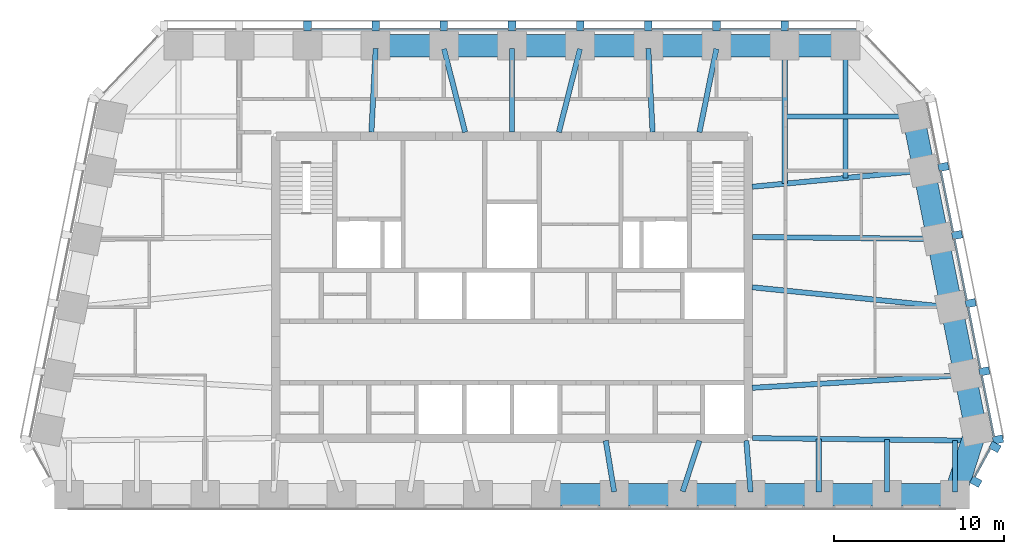
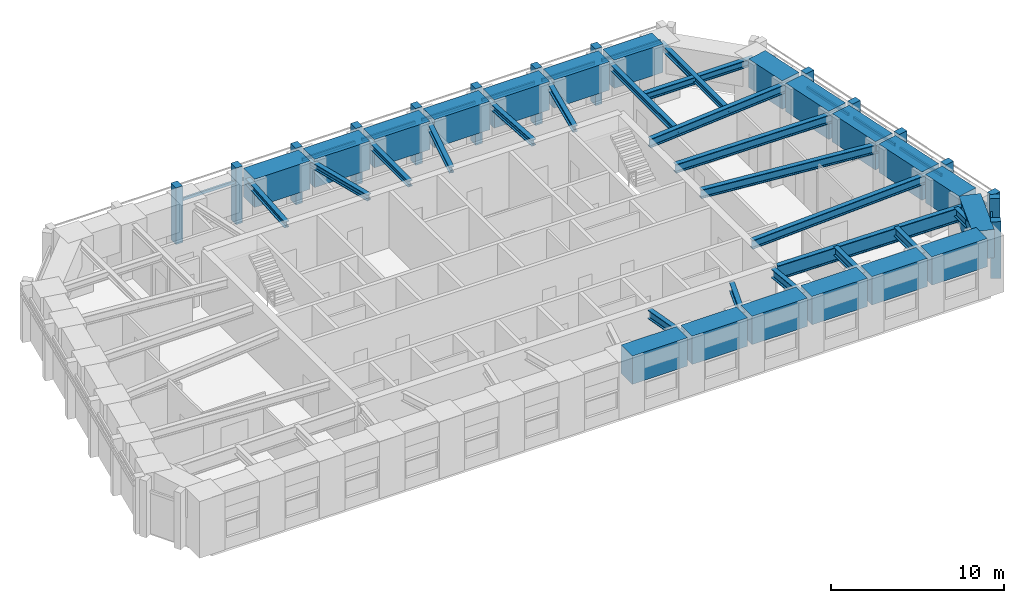
# One storey, part 2 of 9: 39 beams, 28 members, 3 elements without a shape of their own.
"""IFC4 building model written with IfcOpenShell, lengths in metres."""

from ifc_helpers import new_model, si_unit, direction, frame, origin, origin_2d, place, context, subcontext, project, spatial, rectangle, i_section, extrude, material, material_profile, profile_set, type_object, element, aggregate, save


model = new_model("IFC4")

# Units and contexts
model_context = context("Model", 3, precision=1e-05, world=origin(), true_north=direction((0.0, 1.0)))
body_context = subcontext(model_context, "Body", "Model", "MODEL_VIEW")
ifc_project = project(units=[si_unit("LENGTHUNIT", "METRE"), si_unit("AREAUNIT", "SQUARE_METRE"), si_unit("VOLUMEUNIT", "CUBIC_METRE"), si_unit("PLANEANGLEUNIT", "RADIAN"), si_unit("MASSUNIT", "GRAM", prefix="KILO")], contexts=[model_context])

# Site, building, storey
site_placement = place(None, origin())
site = spatial("IfcSite", under=ifc_project, at=site_placement, CompositionType="ELEMENT")
building_placement = place(site_placement, origin())
building = spatial("IfcBuilding", under=site, at=building_placement, Name="Isbrekke Arena Tower", CompositionType="ELEMENT")
storey_placement = place(building_placement, frame((0.0, 0.0, 312.0)))
storey = spatial("IfcBuildingStorey", under=building, at=storey_placement, Name="L73", CompositionType="ELEMENT", Elevation=312.0)

# Beams
ifc_material_1 = material(Name="Steel S355", Category="steel")
ifc_material_profile_1 = material_profile(ifc_material_1, i_section(OverallWidth=0.304931640625, OverallDepth=0.6201171875, WebThickness=0.02099609375, FlangeThickness=0.0400390625, FilletRadius=0.027099609375, at=origin_2d()), Name="HEM 600")
ifc_profile_set_1 = profile_set([ifc_material_profile_1], Name="Steel S355")
beam_type_1 = type_object("IfcBeamType", Name="B4 HEM 600", PredefinedType="BEAM", material=ifc_profile_set_1)
beam_1_placement = place(storey_placement, frame((5.995849609375, 2.99951171875, 3.5400390625), z_axis=(-0.163044952053, 0.986618641426, 0.0), x_axis=(-0.986618641426, -0.163044952053, 0.0)))
element("IfcBeam", 1, at=beam_1_placement, inside=storey, type_object=beam_type_1, Name="B4 beam C-S09 L73", PredefinedType="BEAM", context=body_context, shape_type="SweptSolid", body=[
    extrude(i_section(OverallWidth=0.304931640625, OverallDepth=0.6201171875, WebThickness=0.02099609375, FlangeThickness=0.0400390625, FilletRadius=0.027099609375, at=origin_2d()), origin(), (0.0, 0.0, 1.0), 3.041259765625),
])
beam_2_placement = place(storey_placement, frame((10.01513671875, 3.0205078125, 3.5400390625), z_axis=(0.313846083605, 0.949473873156, 0.0), x_axis=(-0.949473873156, 0.313846083605, 0.0)))
element("IfcBeam", 2, at=beam_2_placement, inside=storey, type_object=beam_type_1, Name="B4 beam C-S10 L73", PredefinedType="BEAM", context=body_context, shape_type="SweptSolid", body=[
    extrude(i_section(OverallWidth=0.304931640625, OverallDepth=0.6201171875, WebThickness=0.02099609375, FlangeThickness=0.0400390625, FilletRadius=0.027099609375, at=origin_2d()), origin(), (0.0, 0.0, 1.0), 3.137939453125),
])
beam_3_placement = place(storey_placement, frame((13.9990234375, 2.987548828125, 3.5400390625), z_axis=(-0.082383718089, 0.996600683822, 0.0), x_axis=(-0.996600683822, -0.082383718089, 0.0)))
element("IfcBeam", 3, at=beam_3_placement, inside=storey, type_object=beam_type_1, Name="B4 beam C-S11 L73", PredefinedType="BEAM", context=body_context, shape_type="SweptSolid", body=[
    extrude(i_section(OverallWidth=0.304931640625, OverallDepth=0.6201171875, WebThickness=0.02099609375, FlangeThickness=0.0400390625, FilletRadius=0.027099609375, at=origin_2d()), origin(), (0.0, 0.0, 1.0), 3.022705078125),
])
beam_4_placement = place(storey_placement, frame((18.0, 2.97509765625, 3.5400390625), z_axis=(0.0, 1.0, 0.0), x_axis=(-1.0, 0.0, 0.0)))
element("IfcBeam", 4, at=beam_4_placement, inside=storey, type_object=beam_type_1, Name="B4 beam C-S12 L73", PredefinedType="BEAM", context=body_context, shape_type="SweptSolid", body=[
    extrude(i_section(OverallWidth=0.304931640625, OverallDepth=0.6201171875, WebThickness=0.02099609375, FlangeThickness=0.0400390625, FilletRadius=0.027099609375, at=origin_2d()), origin(), (0.0, 0.0, 1.0), 3.13037109375),
])
beam_5_placement = place(storey_placement, frame((22.0, 2.97509765625, 3.5400390625), z_axis=(0.0, 1.0, 0.0), x_axis=(-1.0, 0.0, 0.0)))
element("IfcBeam", 5, at=beam_5_placement, inside=storey, type_object=beam_type_1, Name="B4 beam C-S13 L73", PredefinedType="BEAM", context=body_context, shape_type="SweptSolid", body=[
    extrude(i_section(OverallWidth=0.304931640625, OverallDepth=0.6201171875, WebThickness=0.02099609375, FlangeThickness=0.0400390625, FilletRadius=0.027099609375, at=origin_2d()), origin(), (0.0, 0.0, 1.0), 3.084716796875),
])
beam_6_placement = place(storey_placement, frame((26.0, 2.97509765625, 3.5400390625), z_axis=(0.0, 1.0, 0.0), x_axis=(-1.0, 0.0, 0.0)))
element("IfcBeam", 6, at=beam_6_placement, inside=storey, type_object=beam_type_1, Name="B4 beam C-S14 L73", PredefinedType="BEAM", context=body_context, shape_type="SweptSolid", body=[
    extrude(i_section(OverallWidth=0.304931640625, OverallDepth=0.6201171875, WebThickness=0.02099609375, FlangeThickness=0.0400390625, FilletRadius=0.027099609375, at=origin_2d()), origin(), (0.0, 0.0, 1.0), 3.0390625),
])
beam_7_placement = place(storey_placement, frame((26.431884765625, 9.837646484375, 3.5400390625), z_axis=(-0.998216240514, -0.059702070095, 0.0), x_axis=(0.059702070095, -0.998216240514, 0.0)))
element("IfcBeam", 7, at=beam_7_placement, inside=storey, type_object=beam_type_1, Name="B4 beam E-E02 L73", PredefinedType="BEAM", context=body_context, shape_type="SweptSolid", body=[
    extrude(i_section(OverallWidth=0.304931640625, OverallDepth=0.6201171875, WebThickness=0.02099609375, FlangeThickness=0.0400390625, FilletRadius=0.027099609375, at=origin_2d()), origin(), (0.0, 0.0, 1.0), 12.353759765625),
])
beam_8_placement = place(storey_placement, frame((25.625732421875, 13.83984375, 3.5400390625), z_axis=(-0.994972081505, 0.100152668587, 0.0), x_axis=(-0.100152668587, -0.994972081505, 0.0)))
element("IfcBeam", 8, at=beam_8_placement, inside=storey, type_object=beam_type_1, Name="B4 beam E-E03 L73", PredefinedType="BEAM", context=body_context, shape_type="SweptSolid", body=[
    extrude(i_section(OverallWidth=0.304931640625, OverallDepth=0.6201171875, WebThickness=0.02099609375, FlangeThickness=0.0400390625, FilletRadius=0.027099609375, at=origin_2d()), origin(), (0.0, 0.0, 1.0), 11.583984375),
])
beam_9_placement = place(storey_placement, frame((24.83935546875, 17.838134765625, 3.5400390625), z_axis=(-0.999945800258, 0.010411366203, 0.0), x_axis=(-0.010411366203, -0.999945800258, 0.0)))
element("IfcBeam", 9, at=beam_9_placement, inside=storey, type_object=beam_type_1, Name="B4 beam E-E04 L73", PredefinedType="BEAM", context=body_context, shape_type="SweptSolid", body=[
    extrude(i_section(OverallWidth=0.304931640625, OverallDepth=0.6201171875, WebThickness=0.02099609375, FlangeThickness=0.0400390625, FilletRadius=0.027099609375, at=origin_2d()), origin(), (0.0, 0.0, 1.0), 10.73974609375),
])
beam_10_placement = place(storey_placement, frame((24.02685546875, 21.8369140625, 3.5400390625), z_axis=(-0.995574576627, -0.093974796485, 0.0), x_axis=(0.093974796485, -0.995574576627, 0.0)))
element("IfcBeam", 10, at=beam_10_placement, inside=storey, type_object=beam_type_1, Name="B4 beam E-E05 L73", PredefinedType="BEAM", context=body_context, shape_type="SweptSolid", body=[
    extrude(i_section(OverallWidth=0.304931640625, OverallDepth=0.6201171875, WebThickness=0.02099609375, FlangeThickness=0.0400390625, FilletRadius=0.027099609375, at=origin_2d()), origin(), (0.0, 0.0, 1.0), 9.970947265625),
])
ifc_material_2 = material(Name="Steel S355", Category="steel")
ifc_material_profile_2 = material_profile(ifc_material_2, i_section(OverallWidth=0.305908203125, OverallDepth=0.52392578125, WebThickness=0.02099609375, FlangeThickness=0.0400390625, FilletRadius=0.027099609375, at=origin_2d()), Name="HEM 500")
ifc_profile_set_2 = profile_set([ifc_material_profile_2], Name="Steel S355")
beam_type_2 = type_object("IfcBeamType", Name="B5 HEM 500", PredefinedType="BEAM", material=ifc_profile_set_2)
beam_11_placement = place(storey_placement, frame((23.40283203125, 25.029296875, 3.587890625), z_axis=(-1.0, 0.0, 0.0), x_axis=(0.0, -1.0, 0.0)))
element("IfcBeam", 11, at=beam_11_placement, inside=storey, type_object=beam_type_2, Name="B5 beam E-E06 L73", PredefinedType="BEAM", context=body_context, shape_type="SweptSolid", body=[
    extrude(i_section(OverallWidth=0.305908203125, OverallDepth=0.52392578125, WebThickness=0.02099609375, FlangeThickness=0.0400390625, FilletRadius=0.027099609375, at=origin_2d()), origin(), (0.0, 0.0, 1.0), 7.40283203125),
])
ifc_material_3 = material(Name="Steel S355", Category="steel")
ifc_material_profile_3 = material_profile(ifc_material_3, i_section(OverallWidth=0.306884765625, OverallDepth=0.431884765625, WebThickness=0.02099609375, FlangeThickness=0.0400390625, FilletRadius=0.027099609375, at=origin_2d()), Name="HEM 400")
ifc_profile_set_3 = profile_set([ifc_material_profile_3], Name="Steel S355")
beam_type_3 = type_object("IfcBeamType", Name="B6 HEM 400", PredefinedType="BEAM", material=ifc_profile_set_3)
beam_12_placement = place(storey_placement, frame((19.574951171875, 29.02490234375, 3.634033203125), z_axis=(0.0, -1.0, 0.0), x_axis=(1.0, 0.0, 0.0)))
element("IfcBeam", 12, at=beam_12_placement, inside=storey, type_object=beam_type_3, Name="B6 beam N-N01 L73", PredefinedType="BEAM", context=body_context, shape_type="SweptSolid", body=[
    extrude(i_section(OverallWidth=0.306884765625, OverallDepth=0.431884765625, WebThickness=0.02099609375, FlangeThickness=0.0400390625, FilletRadius=0.027099609375, at=origin_2d()), origin(), (0.0, 0.0, 1.0), 7.608154296875),
])
beam_13_placement = place(storey_placement, frame((16.0, 29.02490234375, 3.634033203125), z_axis=(0.0, -1.0, 0.0), x_axis=(1.0, 0.0, 0.0)))
element("IfcBeam", 13, at=beam_13_placement, inside=storey, type_object=beam_type_3, Name="B6 beam N-N02 L73", PredefinedType="BEAM", context=body_context, shape_type="SweptSolid", body=[
    extrude(i_section(OverallWidth=0.306884765625, OverallDepth=0.431884765625, WebThickness=0.02099609375, FlangeThickness=0.0400390625, FilletRadius=0.027099609375, at=origin_2d()), origin(), (0.0, 0.0, 1.0), 7.945556640625),
])
beam_14_placement = place(storey_placement, frame((11.993896484375, 28.9951171875, 3.634033203125), z_axis=(-0.198982177337, -0.980003108721, 0.0), x_axis=(0.980003108721, -0.198982177337, 0.0)))
element("IfcBeam", 14, at=beam_14_placement, inside=storey, type_object=beam_type_3, Name="B6 beam N-N03 L73", PredefinedType="BEAM", context=body_context, shape_type="SweptSolid", body=[
    extrude(i_section(OverallWidth=0.306884765625, OverallDepth=0.431884765625, WebThickness=0.02099609375, FlangeThickness=0.0400390625, FilletRadius=0.027099609375, at=origin_2d()), origin(), (0.0, 0.0, 1.0), 4.994873046875),
])
beam_15_placement = place(storey_placement, frame((8.00048828125, 29.017333984375, 3.634033203125), z_axis=(0.050677067868, -0.998715091902, 0.0), x_axis=(0.998715091902, 0.050677067868, 0.0)))
element("IfcBeam", 15, at=beam_15_placement, inside=storey, type_object=beam_type_3, Name="B6 beam N-N04 L73", PredefinedType="BEAM", context=body_context, shape_type="SweptSolid", body=[
    extrude(i_section(OverallWidth=0.306884765625, OverallDepth=0.431884765625, WebThickness=0.02099609375, FlangeThickness=0.0400390625, FilletRadius=0.027099609375, at=origin_2d()), origin(), (0.0, 0.0, 1.0), 4.923583984375),
])
beam_16_placement = place(storey_placement, frame((3.99072265625, 28.98828125, 3.634033203125), z_axis=(-0.246019579109, -0.969264858898, 0.0), x_axis=(0.969264858898, -0.246019579109, 0.0)))
element("IfcBeam", 16, at=beam_16_placement, inside=storey, type_object=beam_type_3, Name="B6 beam N-N05 L73", PredefinedType="BEAM", context=body_context, shape_type="SweptSolid", body=[
    extrude(i_section(OverallWidth=0.306884765625, OverallDepth=0.431884765625, WebThickness=0.02099609375, FlangeThickness=0.0400390625, FilletRadius=0.027099609375, at=origin_2d()), origin(), (0.0, 0.0, 1.0), 5.043212890625),
])
beam_17_placement = place(storey_placement, frame((0.0, 29.02490234375, 3.634033203125), z_axis=(0.0, -1.0, 0.0), x_axis=(1.0, 0.0, 0.0)))
element("IfcBeam", 17, at=beam_17_placement, inside=storey, type_object=beam_type_3, Name="B6 beam N-N06 L73", PredefinedType="BEAM", context=body_context, shape_type="SweptSolid", body=[
    extrude(i_section(OverallWidth=0.306884765625, OverallDepth=0.431884765625, WebThickness=0.02099609375, FlangeThickness=0.0400390625, FilletRadius=0.027099609375, at=origin_2d()), origin(), (0.0, 0.0, 1.0), 4.9248046875),
])
beam_18_placement = place(storey_placement, frame((-3.99072265625, 28.98828125, 3.634033203125), z_axis=(0.246019579109, -0.969264858898, 0.0), x_axis=(0.969264858898, 0.246019579109, 0.0)))
element("IfcBeam", 18, at=beam_18_placement, inside=storey, type_object=beam_type_3, Name="B6 beam N-N07 L73", PredefinedType="BEAM", context=body_context, shape_type="SweptSolid", body=[
    extrude(i_section(OverallWidth=0.306884765625, OverallDepth=0.431884765625, WebThickness=0.02099609375, FlangeThickness=0.0400390625, FilletRadius=0.027099609375, at=origin_2d()), origin(), (0.0, 0.0, 1.0), 5.043212890625),
])
beam_19_placement = place(storey_placement, frame((-8.00048828125, 29.017333984375, 3.634033203125), z_axis=(-0.050677067868, -0.998715091902, 0.0), x_axis=(0.998715091902, -0.050677067868, 0.0)))
element("IfcBeam", 19, at=beam_19_placement, inside=storey, type_object=beam_type_3, Name="B6 beam N-N08 L73", PredefinedType="BEAM", context=body_context, shape_type="SweptSolid", body=[
    extrude(i_section(OverallWidth=0.306884765625, OverallDepth=0.431884765625, WebThickness=0.02099609375, FlangeThickness=0.0400390625, FilletRadius=0.027099609375, at=origin_2d()), origin(), (0.0, 0.0, 1.0), 4.923583984375),
])

# Curtain wall, members
ifc_material_4 = material(Name="Glazed aluminium curtain wall", Category="aluminium")
curtain_wall_type = type_object("IfcCurtainWallType", Name="CWT TOWER CURTAIN WALL TOP ZONE", PredefinedType="USERDEFINED", material=ifc_material_4)
curtain_wall_1_placement = place(storey_placement, origin())
curtain_wall_1 = element("IfcCurtainWall", 20, at=curtain_wall_1_placement, inside=storey, type_object=curtain_wall_type, Name="CWT curtain wall L73-SE", ObjectType="TOWER CURTAIN WALL TOP ZONE", PredefinedType="USERDEFINED")
ifc_material_5 = material(Name="Copper-clad aluminium mullion", Category="aluminium")
ifc_material_profile_4 = material_profile(ifc_material_5, rectangle(XDim=0.449951171875, YDim=0.60009765625, at=origin_2d()), Name="PIER 450X600")
ifc_profile_set_4 = profile_set([ifc_material_profile_4], Name="Copper-clad aluminium mullion")
member_type_1 = type_object("IfcMemberType", Name="CWT-M PIER MULLION 450 x 600", PredefinedType="MULLION", material=ifc_profile_set_4)
member_1_placement = place(storey_placement, frame((27.218994140625, 3.593994140625, 0.0), z_axis=(0.0, 0.0, 1.0), x_axis=(0.481918749773, 0.876215908676, 0.0)))
member_1 = element("IfcMember", 21, at=member_1_placement, type_object=member_type_1, Name="CWT-M mullion 1", PredefinedType="MULLION", context=body_context, shape_type="SweptSolid", body=[
    extrude(rectangle(XDim=0.449951171875, YDim=0.60009765625, at=origin_2d()), origin(), (0.0, 0.0, 1.0), 4.0),
])
member_2_placement = place(storey_placement, frame((28.340087890625, 5.632080078125, 0.0), z_axis=(0.0, 0.0, 1.0), x_axis=(0.481918749773, 0.876215908676, 0.0)))
member_2 = element("IfcMember", 22, at=member_2_placement, type_object=member_type_1, Name="CWT-M mullion 2", PredefinedType="MULLION", context=body_context, shape_type="SweptSolid", body=[
    extrude(rectangle(XDim=0.449951171875, YDim=0.60009765625, at=origin_2d()), origin(), (0.0, 0.0, 1.0), 4.0),
])

curtain_wall_2_placement = place(storey_placement, origin())
curtain_wall_2 = element("IfcCurtainWall", 23, at=curtain_wall_2_placement, inside=storey, type_object=curtain_wall_type, Name="CWT curtain wall L73-E", ObjectType="TOWER CURTAIN WALL TOP ZONE", PredefinedType="USERDEFINED")
member_3_placement = place(storey_placement, frame((28.518798828125, 6.063720703125, 0.0), z_axis=(0.0, 0.0, 1.0), x_axis=(-0.196116135138, 0.980580675691, 0.0)))
member_3 = element("IfcMember", 24, at=member_3_placement, type_object=member_type_1, Name="CWT-M mullion 1", PredefinedType="MULLION", context=body_context, shape_type="SweptSolid", body=[
    extrude(rectangle(XDim=0.449951171875, YDim=0.60009765625, at=origin_2d()), origin(), (0.0, 0.0, 1.0), 4.0),
])
member_4_placement = place(storey_placement, frame((27.71875, 10.063720703125, 0.0), z_axis=(0.0, 0.0, 1.0), x_axis=(-0.196116135138, 0.980580675691, 0.0)))
member_4 = element("IfcMember", 25, at=member_4_placement, type_object=member_type_1, Name="CWT-M mullion 2", PredefinedType="MULLION", context=body_context, shape_type="SweptSolid", body=[
    extrude(rectangle(XDim=0.449951171875, YDim=0.60009765625, at=origin_2d()), origin(), (0.0, 0.0, 1.0), 4.0),
])
member_5_placement = place(storey_placement, frame((26.918701171875, 14.063720703125, 0.0), z_axis=(0.0, 0.0, 1.0), x_axis=(-0.196116135138, 0.980580675691, 0.0)))
member_5 = element("IfcMember", 26, at=member_5_placement, type_object=member_type_1, Name="CWT-M mullion 3", PredefinedType="MULLION", context=body_context, shape_type="SweptSolid", body=[
    extrude(rectangle(XDim=0.449951171875, YDim=0.60009765625, at=origin_2d()), origin(), (0.0, 0.0, 1.0), 4.0),
])
member_6_placement = place(storey_placement, frame((26.11865234375, 18.063720703125, 0.0), z_axis=(0.0, 0.0, 1.0), x_axis=(-0.196116135138, 0.980580675691, 0.0)))
member_6 = element("IfcMember", 27, at=member_6_placement, type_object=member_type_1, Name="CWT-M mullion 4", PredefinedType="MULLION", context=body_context, shape_type="SweptSolid", body=[
    extrude(rectangle(XDim=0.449951171875, YDim=0.60009765625, at=origin_2d()), origin(), (0.0, 0.0, 1.0), 4.0),
])
member_7_placement = place(storey_placement, frame((25.318603515625, 22.063720703125, 0.0), z_axis=(0.0, 0.0, 1.0), x_axis=(-0.196116135138, 0.980580675691, 0.0)))
member_7 = element("IfcMember", 28, at=member_7_placement, type_object=member_type_1, Name="CWT-M mullion 5", PredefinedType="MULLION", context=body_context, shape_type="SweptSolid", body=[
    extrude(rectangle(XDim=0.449951171875, YDim=0.60009765625, at=origin_2d()), origin(), (0.0, 0.0, 1.0), 4.0),
])

curtain_wall_3_placement = place(storey_placement, origin())
curtain_wall_3 = element("IfcCurtainWall", 29, at=curtain_wall_3_placement, inside=storey, type_object=curtain_wall_type, Name="CWT curtain wall L73-N", ObjectType="TOWER CURTAIN WALL TOP ZONE", PredefinedType="USERDEFINED")
member_8_placement = place(storey_placement, frame((16.0, 30.324951171875, 0.0), z_axis=(0.0, 0.0, 1.0), x_axis=(-1.0, 0.0, 0.0)))
member_8 = element("IfcMember", 30, at=member_8_placement, type_object=member_type_1, Name="CWT-M mullion 2", PredefinedType="MULLION", context=body_context, shape_type="SweptSolid", body=[
    extrude(rectangle(XDim=0.449951171875, YDim=0.60009765625, at=origin_2d()), origin(), (0.0, 0.0, 1.0), 4.0),
])
member_9_placement = place(storey_placement, frame((12.0, 30.324951171875, 0.0), z_axis=(0.0, 0.0, 1.0), x_axis=(-1.0, 0.0, 0.0)))
member_9 = element("IfcMember", 31, at=member_9_placement, type_object=member_type_1, Name="CWT-M mullion 3", PredefinedType="MULLION", context=body_context, shape_type="SweptSolid", body=[
    extrude(rectangle(XDim=0.449951171875, YDim=0.60009765625, at=origin_2d()), origin(), (0.0, 0.0, 1.0), 4.0),
])
member_10_placement = place(storey_placement, frame((8.0, 30.324951171875, 0.0), z_axis=(0.0, 0.0, 1.0), x_axis=(-1.0, 0.0, 0.0)))
member_10 = element("IfcMember", 32, at=member_10_placement, type_object=member_type_1, Name="CWT-M mullion 4", PredefinedType="MULLION", context=body_context, shape_type="SweptSolid", body=[
    extrude(rectangle(XDim=0.449951171875, YDim=0.60009765625, at=origin_2d()), origin(), (0.0, 0.0, 1.0), 4.0),
])
member_11_placement = place(storey_placement, frame((4.0, 30.324951171875, 0.0), z_axis=(0.0, 0.0, 1.0), x_axis=(-1.0, 0.0, 0.0)))
member_11 = element("IfcMember", 33, at=member_11_placement, type_object=member_type_1, Name="CWT-M mullion 5", PredefinedType="MULLION", context=body_context, shape_type="SweptSolid", body=[
    extrude(rectangle(XDim=0.449951171875, YDim=0.60009765625, at=origin_2d()), origin(), (0.0, 0.0, 1.0), 4.0),
])
member_12_placement = place(storey_placement, frame((0.0, 30.324951171875, 0.0), z_axis=(0.0, 0.0, 1.0), x_axis=(-1.0, 0.0, 0.0)))
member_12 = element("IfcMember", 34, at=member_12_placement, type_object=member_type_1, Name="CWT-M mullion 6", PredefinedType="MULLION", context=body_context, shape_type="SweptSolid", body=[
    extrude(rectangle(XDim=0.449951171875, YDim=0.60009765625, at=origin_2d()), origin(), (0.0, 0.0, 1.0), 4.0),
])
member_13_placement = place(storey_placement, frame((-4.0, 30.324951171875, 0.0), z_axis=(0.0, 0.0, 1.0), x_axis=(-1.0, 0.0, 0.0)))
member_13 = element("IfcMember", 35, at=member_13_placement, type_object=member_type_1, Name="CWT-M mullion 7", PredefinedType="MULLION", context=body_context, shape_type="SweptSolid", body=[
    extrude(rectangle(XDim=0.449951171875, YDim=0.60009765625, at=origin_2d()), origin(), (0.0, 0.0, 1.0), 4.0),
])
member_14_placement = place(storey_placement, frame((-8.0, 30.324951171875, 0.0), z_axis=(0.0, 0.0, 1.0), x_axis=(-1.0, 0.0, 0.0)))
member_14 = element("IfcMember", 36, at=member_14_placement, type_object=member_type_1, Name="CWT-M mullion 8", PredefinedType="MULLION", context=body_context, shape_type="SweptSolid", body=[
    extrude(rectangle(XDim=0.449951171875, YDim=0.60009765625, at=origin_2d()), origin(), (0.0, 0.0, 1.0), 4.0),
])
member_15_placement = place(storey_placement, frame((-12.0, 30.324951171875, 0.0), z_axis=(0.0, 0.0, 1.0), x_axis=(-1.0, 0.0, 0.0)))
member_15 = element("IfcMember", 37, at=member_15_placement, type_object=member_type_1, Name="CWT-M mullion 9", PredefinedType="MULLION", context=body_context, shape_type="SweptSolid", body=[
    extrude(rectangle(XDim=0.449951171875, YDim=0.60009765625, at=origin_2d()), origin(), (0.0, 0.0, 1.0), 4.0),
])

# Member
ifc_material_6 = material(Name="Aluminium transom", Category="aluminium")
ifc_material_profile_5 = material_profile(ifc_material_6, rectangle(XDim=0.1201171875, YDim=0.199951171875, at=origin_2d()), Name="TRANSOM 120X200")
ifc_profile_set_5 = profile_set([ifc_material_profile_5], Name="Aluminium transom")
member_type_2 = type_object("IfcMemberType", Name="CWT-T TRANSOM 120 x 200", PredefinedType="USERDEFINED", material=ifc_profile_set_5)
member_16_placement = place(storey_placement, frame((27.152099609375, 3.887451171875, 3.0), z_axis=(0.482003669577, 0.876169197424, 0.0), x_axis=(-0.876169197424, 0.482003669577, 0.0)))
member_16 = element("IfcMember", 38, at=member_16_placement, type_object=member_type_2, Name="CWT-T transom 1", ObjectType="TRANSOM", PredefinedType="USERDEFINED", context=body_context, shape_type="SweptSolid", body=[
    extrude(rectangle(XDim=0.1201171875, YDim=0.199951171875, at=origin_2d()), origin(), (0.0, 0.0, 1.0), 1.876220703125),
])

aggregate(curtain_wall_1, [member_1, member_2, member_16])

member_17_placement = place(storey_placement, frame((28.278564453125, 6.2451171875, 3.0), z_axis=(-0.196154943734, 0.980572913173, 0.0), x_axis=(-0.980572913173, -0.196154943734, 0.0)))
member_17 = element("IfcMember", 39, at=member_17_placement, type_object=member_type_2, Name="CWT-T transom 1", ObjectType="TRANSOM", PredefinedType="USERDEFINED", context=body_context, shape_type="SweptSolid", body=[
    extrude(rectangle(XDim=0.1201171875, YDim=0.199951171875, at=origin_2d()), origin(), (0.0, 0.0, 1.0), 3.62939453125),
])

member_18_placement = place(storey_placement, frame((27.478515625, 10.2451171875, 3.0), z_axis=(-0.196154943734, 0.980572913173, 0.0), x_axis=(-0.980572913173, -0.196154943734, 0.0)))
member_18 = element("IfcMember", 40, at=member_18_placement, type_object=member_type_2, Name="CWT-T transom 2", ObjectType="TRANSOM", PredefinedType="USERDEFINED", context=body_context, shape_type="SweptSolid", body=[
    extrude(rectangle(XDim=0.1201171875, YDim=0.199951171875, at=origin_2d()), origin(), (0.0, 0.0, 1.0), 3.62939453125),
])

member_19_placement = place(storey_placement, frame((26.678466796875, 14.2451171875, 3.0), z_axis=(-0.196090262229, 0.980585849918, 0.0), x_axis=(-0.980585849918, -0.196090262229, 0.0)))
member_19 = element("IfcMember", 41, at=member_19_placement, type_object=member_type_2, Name="CWT-T transom 3", ObjectType="TRANSOM", PredefinedType="USERDEFINED", context=body_context, shape_type="SweptSolid", body=[
    extrude(rectangle(XDim=0.1201171875, YDim=0.199951171875, at=origin_2d()), origin(), (0.0, 0.0, 1.0), 3.62939453125),
])

member_20_placement = place(storey_placement, frame((25.87841796875, 18.2451171875, 3.0), z_axis=(-0.196090262229, 0.980585849918, 0.0), x_axis=(-0.980585849918, -0.196090262229, 0.0)))
member_20 = element("IfcMember", 42, at=member_20_placement, type_object=member_type_2, Name="CWT-T transom 4", ObjectType="TRANSOM", PredefinedType="USERDEFINED", context=body_context, shape_type="SweptSolid", body=[
    extrude(rectangle(XDim=0.1201171875, YDim=0.199951171875, at=origin_2d()), origin(), (0.0, 0.0, 1.0), 3.62939453125),
])

aggregate(curtain_wall_2, [member_3, member_4, member_5, member_6, member_7, member_17, member_18, member_19, member_20])

member_21_placement = place(storey_placement, frame((20.175048828125, 30.125, 3.0), z_axis=(-1.0, 0.0, 0.0), x_axis=(0.0, -1.0, 0.0)))
member_21 = element("IfcMember", 43, at=member_21_placement, type_object=member_type_2, Name="CWT-T transom 1", ObjectType="TRANSOM", PredefinedType="USERDEFINED", context=body_context, shape_type="SweptSolid", body=[
    extrude(rectangle(XDim=0.1201171875, YDim=0.199951171875, at=origin_2d()), origin(), (0.0, 0.0, 1.0), 3.949951171875),
])

member_22_placement = place(storey_placement, frame((15.77490234375, 30.125, 3.0), z_axis=(-1.0, 0.0, 0.0), x_axis=(0.0, -1.0, 0.0)))
member_22 = element("IfcMember", 44, at=member_22_placement, type_object=member_type_2, Name="CWT-T transom 2", ObjectType="TRANSOM", PredefinedType="USERDEFINED", context=body_context, shape_type="SweptSolid", body=[
    extrude(rectangle(XDim=0.1201171875, YDim=0.199951171875, at=origin_2d()), origin(), (0.0, 0.0, 1.0), 3.5498046875),
])

member_23_placement = place(storey_placement, frame((11.77490234375, 30.125, 3.0), z_axis=(-1.0, 0.0, 0.0), x_axis=(0.0, -1.0, 0.0)))
member_23 = element("IfcMember", 45, at=member_23_placement, type_object=member_type_2, Name="CWT-T transom 3", ObjectType="TRANSOM", PredefinedType="USERDEFINED", context=body_context, shape_type="SweptSolid", body=[
    extrude(rectangle(XDim=0.1201171875, YDim=0.199951171875, at=origin_2d()), origin(), (0.0, 0.0, 1.0), 3.5498046875),
])

member_24_placement = place(storey_placement, frame((7.77490234375, 30.125, 3.0), z_axis=(-1.0, 0.0, 0.0), x_axis=(0.0, -1.0, 0.0)))
member_24 = element("IfcMember", 46, at=member_24_placement, type_object=member_type_2, Name="CWT-T transom 4", ObjectType="TRANSOM", PredefinedType="USERDEFINED", context=body_context, shape_type="SweptSolid", body=[
    extrude(rectangle(XDim=0.1201171875, YDim=0.199951171875, at=origin_2d()), origin(), (0.0, 0.0, 1.0), 3.5498046875),
])

member_25_placement = place(storey_placement, frame((3.77490234375, 30.125, 3.0), z_axis=(-1.0, 0.0, 0.0), x_axis=(0.0, -1.0, 0.0)))
member_25 = element("IfcMember", 47, at=member_25_placement, type_object=member_type_2, Name="CWT-T transom 5", ObjectType="TRANSOM", PredefinedType="USERDEFINED", context=body_context, shape_type="SweptSolid", body=[
    extrude(rectangle(XDim=0.1201171875, YDim=0.199951171875, at=origin_2d()), origin(), (0.0, 0.0, 1.0), 3.5498046875),
])

member_26_placement = place(storey_placement, frame((-0.22509765625, 30.125, 3.0), z_axis=(-1.0, 0.0, 0.0), x_axis=(0.0, -1.0, 0.0)))
member_26 = element("IfcMember", 48, at=member_26_placement, type_object=member_type_2, Name="CWT-T transom 6", ObjectType="TRANSOM", PredefinedType="USERDEFINED", context=body_context, shape_type="SweptSolid", body=[
    extrude(rectangle(XDim=0.1201171875, YDim=0.199951171875, at=origin_2d()), origin(), (0.0, 0.0, 1.0), 3.5498046875),
])

member_27_placement = place(storey_placement, frame((-4.22509765625, 30.125, 3.0), z_axis=(-1.0, 0.0, 0.0), x_axis=(0.0, -1.0, 0.0)))
member_27 = element("IfcMember", 49, at=member_27_placement, type_object=member_type_2, Name="CWT-T transom 7", ObjectType="TRANSOM", PredefinedType="USERDEFINED", context=body_context, shape_type="SweptSolid", body=[
    extrude(rectangle(XDim=0.1201171875, YDim=0.199951171875, at=origin_2d()), origin(), (0.0, 0.0, 1.0), 3.5498046875),
])

member_28_placement = place(storey_placement, frame((-8.22509765625, 30.125, 3.0), z_axis=(-1.0, 0.0, 0.0), x_axis=(0.0, -1.0, 0.0)))
member_28 = element("IfcMember", 50, at=member_28_placement, type_object=member_type_2, Name="CWT-T transom 8", ObjectType="TRANSOM", PredefinedType="USERDEFINED", context=body_context, shape_type="SweptSolid", body=[
    extrude(rectangle(XDim=0.1201171875, YDim=0.199951171875, at=origin_2d()), origin(), (0.0, 0.0, 1.0), 3.5498046875),
])

aggregate(curtain_wall_3, [member_8, member_9, member_10, member_11, member_12, member_13, member_14, member_15, member_21, member_22, member_23, member_24, member_25, member_26, member_27, member_28])

# Beams
ifc_material_7 = material(Name="Steel S355", Category="steel")
ifc_material_profile_6 = material_profile(ifc_material_7, i_section(OverallWidth=0.302001953125, OverallDepth=1.008056640625, WebThickness=0.02099609375, FlangeThickness=0.0400390625, FilletRadius=0.030029296875, at=origin_2d()), Name="HEM 1000")
ifc_profile_set_6 = profile_set([ifc_material_profile_6], Name="Steel S355")
beam_type_4 = type_object("IfcBeamType", Name="G2 HEM 1000", PredefinedType="BEAM", material=ifc_profile_set_6)
beam_20_placement = place(storey_placement, frame((14.10009765625, 6.14990234375, 3.345947265625), z_axis=(0.999934809516, -0.011418262471, 0.0), x_axis=(0.011418262471, 0.999934809516, 0.0)))
element("IfcBeam", 51, at=beam_20_placement, inside=storey, type_object=beam_type_4, Name="G2 beam G2-E L73", PredefinedType="BEAM", context=body_context, shape_type="SweptSolid", body=[
    extrude(i_section(OverallWidth=0.302001953125, OverallDepth=1.008056640625, WebThickness=0.02099609375, FlangeThickness=0.0400390625, FilletRadius=0.030029296875, at=origin_2d()), origin(), (0.0, 0.0, 1.0), 13.12841796875),
])
ifc_material_8 = material(Name="Concrete B55 (C55/67)", Category="concrete")
ifc_material_profile_7 = material_profile(ifc_material_8, rectangle(XDim=1.300048828125, YDim=2.0, at=origin_2d()), Name="RC 1300x2000")
ifc_profile_set_7 = profile_set([ifc_material_profile_7], Name="Concrete B55 (C55/67)")
beam_type_5 = type_object("IfcBeamType", Name="SB4 RC 1300 x 2000", PredefinedType="SPANDREL", material=ifc_profile_set_7)
for number, where, z_axis, x_axis, name in (
    (52, (2.14990234375, 2.824951171875, 3.0), (1.0, 0.0, 0.0), (0.0, 1.0, 0.0), "SB4 spandrel S08-S09 L73"),
    (53, (6.14990234375, 2.824951171875, 3.0), (1.0, 0.0, 0.0), (0.0, 1.0, 0.0), "SB4 spandrel S09-S10 L73"),
    (54, (10.14990234375, 2.824951171875, 3.0), (1.0, 0.0, 0.0), (0.0, 1.0, 0.0), "SB4 spandrel S10-S11 L73"),
    (55, (14.14990234375, 2.824951171875, 3.0), (1.0, 0.0, 0.0), (0.0, 1.0, 0.0), "SB4 spandrel S11-S12 L73"),
    (56, (18.14990234375, 2.824951171875, 3.0), (1.0, 0.0, 0.0), (0.0, 1.0, 0.0), "SB4 spandrel S12-S13 L73"),
    (57, (22.14990234375, 2.824951171875, 3.0), (1.0, 0.0, 0.0), (0.0, 1.0, 0.0), "SB4 spandrel S13-S14 L73"),
):
    element("IfcBeam", number, at=place(storey_placement, frame(where, z_axis=z_axis, x_axis=x_axis)), inside=storey, type_object=beam_type_5, Name=name, PredefinedType="SPANDREL", context=body_context, shape_type="SweptSolid", body=[
        extrude(rectangle(XDim=1.300048828125, YDim=2.0, at=origin_2d()), origin(), (0.0, 0.0, 1.0), 3.7001953125),
    ])
beam_21_placement = place(storey_placement, frame((26.0458984375, 2.9677734375, 3.0), z_axis=(0.306175101476, 0.951975213562, 0.0), x_axis=(-0.951975213562, 0.306175101476, 0.0)))
element("IfcBeam", 58, at=beam_21_placement, inside=storey, type_object=beam_type_5, Name="SB4 spandrel S14-E01 L73", PredefinedType="SPANDREL", context=body_context, shape_type="SweptSolid", body=[
    extrude(rectangle(XDim=1.300048828125, YDim=2.0, at=origin_2d()), origin(), (0.0, 0.0, 1.0), 3.715087890625),
])
beam_22_placement = place(storey_placement, frame((27.19970703125, 6.794189453125, 3.0), z_axis=(-0.196100243168, 0.980583853951, 0.0), x_axis=(-0.980583853951, -0.196100243168, 0.0)))
element("IfcBeam", 59, at=beam_22_placement, inside=storey, type_object=beam_type_5, Name="SB4 spandrel E01-E02 L73", PredefinedType="SPANDREL", context=body_context, shape_type="SweptSolid", body=[
    extrude(rectangle(XDim=1.300048828125, YDim=2.0, at=origin_2d()), origin(), (0.0, 0.0, 1.0), 2.954345703125),
])
beam_23_placement = place(storey_placement, frame((26.5615234375, 9.9853515625, 3.0), z_axis=(-0.1960664412, 0.980590613169, 0.0), x_axis=(-0.980590613169, -0.1960664412, 0.0)))
element("IfcBeam", 60, at=beam_23_placement, inside=storey, type_object=beam_type_5, Name="SB4 spandrel E02-E03 L73", PredefinedType="SPANDREL", context=body_context, shape_type="SweptSolid", body=[
    extrude(rectangle(XDim=1.300048828125, YDim=2.0, at=origin_2d()), origin(), (0.0, 0.0, 1.0), 3.779052734375),
])
for number, where, z_axis, x_axis, name in (
    (61, (25.76171875, 13.9853515625, 3.0), (-0.196128558387, 0.980578190959, 0.0), (-0.980578190959, -0.196128558387, 0.0), "SB4 spandrel E03-E04 L73"),
    (62, (24.961669921875, 17.9853515625, 3.0), (-0.196128558387, 0.980578190959, 0.0), (-0.980578190959, -0.196128558387, 0.0), "SB4 spandrel E04-E05 L73"),
):
    element("IfcBeam", number, at=place(storey_placement, frame(where, z_axis=z_axis, x_axis=x_axis)), inside=storey, type_object=beam_type_5, Name=name, PredefinedType="SPANDREL", context=body_context, shape_type="SweptSolid", body=[
        extrude(rectangle(XDim=1.300048828125, YDim=2.0, at=origin_2d()), origin(), (0.0, 0.0, 1.0), 3.779296875),
    ])
beam_24_placement = place(storey_placement, frame((24.16162109375, 21.9853515625, 3.0), z_axis=(-0.196116135138, 0.980580675691, 0.0), x_axis=(-0.980580675691, -0.196116135138, 0.0)))
element("IfcBeam", 63, at=beam_24_placement, inside=storey, type_object=beam_type_5, Name="SB4 spandrel E05-E06 L73", PredefinedType="SPANDREL", context=body_context, shape_type="SweptSolid", body=[
    extrude(rectangle(XDim=1.300048828125, YDim=2.0, at=origin_2d()), origin(), (0.0, 0.0, 1.0), 2.9541015625),
])
beam_25_placement = place(storey_placement, frame((19.425048828125, 29.175048828125, 3.0), z_axis=(-1.0, 0.0, 0.0), x_axis=(0.0, -1.0, 0.0)))
element("IfcBeam", 64, at=beam_25_placement, inside=storey, type_object=beam_type_5, Name="SB4 spandrel N01-N02 L73", PredefinedType="SPANDREL", context=body_context, shape_type="SweptSolid", body=[
    extrude(rectangle(XDim=1.300048828125, YDim=2.0, at=origin_2d()), origin(), (0.0, 0.0, 1.0), 3.275146484375),
])
for number, where, z_axis, x_axis, name in (
    (65, (15.85009765625, 29.175048828125, 3.0), (-1.0, 0.0, 0.0), (0.0, -1.0, 0.0), "SB4 spandrel N02-N03 L73"),
    (66, (11.85009765625, 29.175048828125, 3.0), (-1.0, 0.0, 0.0), (0.0, -1.0, 0.0), "SB4 spandrel N03-N04 L73"),
    (67, (7.85009765625, 29.175048828125, 3.0), (-1.0, 0.0, 0.0), (0.0, -1.0, 0.0), "SB4 spandrel N04-N05 L73"),
    (68, (3.85009765625, 29.175048828125, 3.0), (-1.0, 0.0, 0.0), (0.0, -1.0, 0.0), "SB4 spandrel N05-N06 L73"),
    (69, (-0.14990234375, 29.175048828125, 3.0), (-1.0, 0.0, 0.0), (0.0, -1.0, 0.0), "SB4 spandrel N06-N07 L73"),
    (70, (-4.14990234375, 29.175048828125, 3.0), (-1.0, 0.0, 0.0), (0.0, -1.0, 0.0), "SB4 spandrel N07-N08 L73"),
):
    element("IfcBeam", number, at=place(storey_placement, frame(where, z_axis=z_axis, x_axis=x_axis)), inside=storey, type_object=beam_type_5, Name=name, PredefinedType="SPANDREL", context=body_context, shape_type="SweptSolid", body=[
        extrude(rectangle(XDim=1.300048828125, YDim=2.0, at=origin_2d()), origin(), (0.0, 0.0, 1.0), 3.7001953125),
    ])

save(model, "model.ifc")
